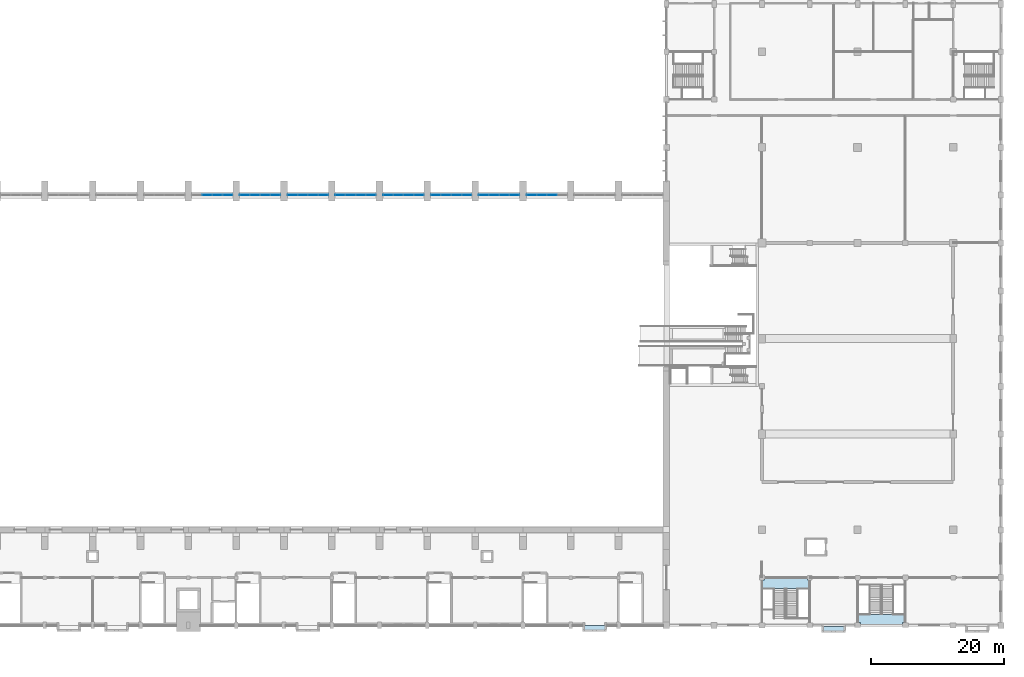
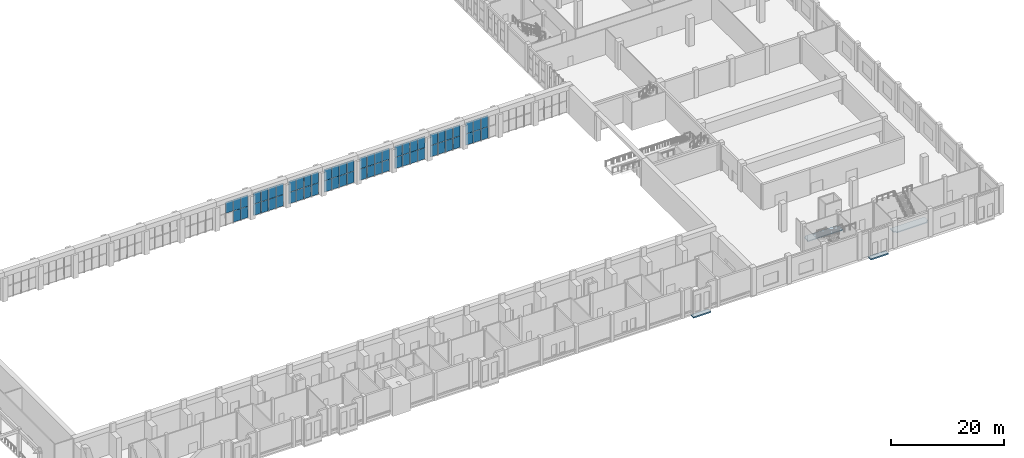
# One storey, part 22 of 44: 59 plates, 4 slabs, 10 elements without a shape of their own.
"""IFC4 building model written with IfcOpenShell, lengths in metres."""

from ifc_helpers import new_model, si_unit, direction, frame, origin, origin_2d, place, context, subcontext, project, spatial, polyline, rectangle, outline, extrude, material, layer, layer_set, type_object, element, aggregate, save


model = new_model("IFC4")

# Units and contexts
model_context = context("Model", 3, precision=1e-05, world=origin(), true_north=direction((0.0, 1.0)))
body_context = subcontext(model_context, "Body", "Model", "MODEL_VIEW")
ifc_project = project(units=[si_unit("LENGTHUNIT", "METRE"), si_unit("AREAUNIT", "SQUARE_METRE"), si_unit("VOLUMEUNIT", "CUBIC_METRE"), si_unit("PLANEANGLEUNIT", "RADIAN"), si_unit("MASSUNIT", "GRAM", prefix="KILO")], contexts=[model_context])

# Site, building, storey
site_placement = place(None, origin())
site = spatial("IfcSite", under=ifc_project, at=site_placement, CompositionType="ELEMENT")
building_placement = place(site_placement, origin())
building = spatial("IfcBuilding", under=site, at=building_placement, Name="Vermilion Court Aquatics Centre", CompositionType="ELEMENT")
storey_placement = place(building_placement, frame((0.0, 0.0, 6.0)))
storey = spatial("IfcBuildingStorey", under=building, at=storey_placement, Name="L01", CompositionType="ELEMENT", Elevation=6.0)

# Curtain wall, plates
ifc_material_1 = material(Name="Aluminium 6063-T5", Category="aluminium")
curtain_wall_type = type_object("IfcCurtainWallType", Name="Envelope curtain wall hall clerestory L01", PredefinedType="NOTDEFINED", material=ifc_material_1)
curtain_wall_1_placement = place(storey_placement, origin())
curtain_wall_1 = element("IfcCurtainWall", 1, at=curtain_wall_1_placement, inside=storey, type_object=curtain_wall_type, Name="Hall clerestory bay 9 L01", PredefinedType="NOTDEFINED")
ifc_material_2 = material(Name="Glazing", Category="glass")
ifc_layer_1 = layer(ifc_material_2, 0.06005859375)
ifc_layer_set_1 = layer_set([ifc_layer_1], Name="Envelope laminated glazing panel 60")
plate_type = type_object("IfcPlateType", Name="Envelope laminated glazing panel 60", PredefinedType="CURTAIN_PANEL", material=ifc_layer_set_1)
plate_1_placement = place(storey_placement, frame((74.824951171875, 64.800048828125, 2.5302734375), z_axis=(0.0, 0.0, 1.0), x_axis=(1.0, 0.0, 0.0)))
plate_1 = element("IfcPlate", 2, at=plate_1_placement, type_object=plate_type, Name="ECW2 panel 2.2", PredefinedType="CURTAIN_PANEL", context=body_context, shape_type="SweptSolid", body=[
    extrude(rectangle(XDim=1.489990234375, YDim=0.06005859375, at=origin_2d()), origin(), (0.0, 0.0, 1.0), 2.409912109375),
])
plate_2_placement = place(storey_placement, frame((76.375, 64.800048828125, 0.06005859375), z_axis=(0.0, 0.0, 1.0), x_axis=(1.0, 0.0, 0.0)))
plate_2 = element("IfcPlate", 3, at=plate_2_placement, type_object=plate_type, Name="ECW2 panel 3.1", PredefinedType="CURTAIN_PANEL", context=body_context, shape_type="SweptSolid", body=[
    extrude(rectangle(XDim=1.489990234375, YDim=0.06005859375, at=origin_2d()), origin(), (0.0, 0.0, 1.0), 2.409912109375),
])
plate_3_placement = place(storey_placement, frame((76.375, 64.800048828125, 2.5302734375), z_axis=(0.0, 0.0, 1.0), x_axis=(1.0, 0.0, 0.0)))
plate_3 = element("IfcPlate", 4, at=plate_3_placement, type_object=plate_type, Name="ECW2 panel 3.2", PredefinedType="CURTAIN_PANEL", context=body_context, shape_type="SweptSolid", body=[
    extrude(rectangle(XDim=1.489990234375, YDim=0.06005859375, at=origin_2d()), origin(), (0.0, 0.0, 1.0), 2.409912109375),
])
plate_4_placement = place(storey_placement, frame((77.909912109375, 64.800048828125, 0.06005859375), z_axis=(0.0, 0.0, 1.0), x_axis=(1.0, 0.0, 0.0)))
plate_4 = element("IfcPlate", 5, at=plate_4_placement, type_object=plate_type, Name="ECW2 panel 4.1", PredefinedType="CURTAIN_PANEL", context=body_context, shape_type="SweptSolid", body=[
    extrude(rectangle(XDim=1.4599609375, YDim=0.06005859375, at=origin_2d()), origin(), (0.0, 0.0, 1.0), 2.409912109375),
])
plate_5_placement = place(storey_placement, frame((77.909912109375, 64.800048828125, 2.5302734375), z_axis=(0.0, 0.0, 1.0), x_axis=(1.0, 0.0, 0.0)))
plate_5 = element("IfcPlate", 6, at=plate_5_placement, type_object=plate_type, Name="ECW2 panel 4.2", PredefinedType="CURTAIN_PANEL", context=body_context, shape_type="SweptSolid", body=[
    extrude(rectangle(XDim=1.4599609375, YDim=0.06005859375, at=origin_2d()), origin(), (0.0, 0.0, 1.0), 2.409912109375),
])
aggregate(curtain_wall_1, [plate_1, plate_2, plate_3, plate_4, plate_5])

curtain_wall_2_placement = place(storey_placement, origin())
curtain_wall_2 = element("IfcCurtainWall", 7, at=curtain_wall_2_placement, inside=storey, type_object=curtain_wall_type, Name="Hall clerestory bay 10 L01", PredefinedType="NOTDEFINED")
plate_6_placement = place(storey_placement, frame((80.489990234375, 64.800048828125, 0.06005859375), z_axis=(0.0, 0.0, 1.0), x_axis=(1.0, 0.0, 0.0)))
plate_6 = element("IfcPlate", 8, at=plate_6_placement, type_object=plate_type, Name="ECW2 panel 1.1", PredefinedType="CURTAIN_PANEL", context=body_context, shape_type="SweptSolid", body=[
    extrude(rectangle(XDim=1.4599609375, YDim=0.06005859375, at=origin_2d()), origin(), (0.0, 0.0, 1.0), 2.409912109375),
])
plate_7_placement = place(storey_placement, frame((80.489990234375, 64.800048828125, 2.5302734375), z_axis=(0.0, 0.0, 1.0), x_axis=(1.0, 0.0, 0.0)))
plate_7 = element("IfcPlate", 9, at=plate_7_placement, type_object=plate_type, Name="ECW2 panel 1.2", PredefinedType="CURTAIN_PANEL", context=body_context, shape_type="SweptSolid", body=[
    extrude(rectangle(XDim=1.4599609375, YDim=0.06005859375, at=origin_2d()), origin(), (0.0, 0.0, 1.0), 2.409912109375),
])
plate_8_placement = place(storey_placement, frame((82.02490234375, 64.800048828125, 0.06005859375), z_axis=(0.0, 0.0, 1.0), x_axis=(1.0, 0.0, 0.0)))
plate_8 = element("IfcPlate", 10, at=plate_8_placement, type_object=plate_type, Name="ECW2 panel 2.1", PredefinedType="CURTAIN_PANEL", context=body_context, shape_type="SweptSolid", body=[
    extrude(rectangle(XDim=1.489990234375, YDim=0.06005859375, at=origin_2d()), origin(), (0.0, 0.0, 1.0), 2.409912109375),
])
plate_9_placement = place(storey_placement, frame((82.02490234375, 64.800048828125, 2.5302734375), z_axis=(0.0, 0.0, 1.0), x_axis=(1.0, 0.0, 0.0)))
plate_9 = element("IfcPlate", 11, at=plate_9_placement, type_object=plate_type, Name="ECW2 panel 2.2", PredefinedType="CURTAIN_PANEL", context=body_context, shape_type="SweptSolid", body=[
    extrude(rectangle(XDim=1.489990234375, YDim=0.06005859375, at=origin_2d()), origin(), (0.0, 0.0, 1.0), 2.409912109375),
])
plate_10_placement = place(storey_placement, frame((83.574951171875, 64.800048828125, 0.06005859375), z_axis=(0.0, 0.0, 1.0), x_axis=(1.0, 0.0, 0.0)))
plate_10 = element("IfcPlate", 12, at=plate_10_placement, type_object=plate_type, Name="ECW2 panel 3.1", PredefinedType="CURTAIN_PANEL", context=body_context, shape_type="SweptSolid", body=[
    extrude(rectangle(XDim=1.489990234375, YDim=0.06005859375, at=origin_2d()), origin(), (0.0, 0.0, 1.0), 2.409912109375),
])
plate_11_placement = place(storey_placement, frame((83.574951171875, 64.800048828125, 2.5302734375), z_axis=(0.0, 0.0, 1.0), x_axis=(1.0, 0.0, 0.0)))
plate_11 = element("IfcPlate", 13, at=plate_11_placement, type_object=plate_type, Name="ECW2 panel 3.2", PredefinedType="CURTAIN_PANEL", context=body_context, shape_type="SweptSolid", body=[
    extrude(rectangle(XDim=1.489990234375, YDim=0.06005859375, at=origin_2d()), origin(), (0.0, 0.0, 1.0), 2.409912109375),
])
plate_12_placement = place(storey_placement, frame((85.110107421875, 64.800048828125, 0.06005859375), z_axis=(0.0, 0.0, 1.0), x_axis=(1.0, 0.0, 0.0)))
plate_12 = element("IfcPlate", 14, at=plate_12_placement, type_object=plate_type, Name="ECW2 panel 4.1", PredefinedType="CURTAIN_PANEL", context=body_context, shape_type="SweptSolid", body=[
    extrude(rectangle(XDim=1.4599609375, YDim=0.06005859375, at=origin_2d()), origin(), (0.0, 0.0, 1.0), 2.409912109375),
])
plate_13_placement = place(storey_placement, frame((85.110107421875, 64.800048828125, 2.5302734375), z_axis=(0.0, 0.0, 1.0), x_axis=(1.0, 0.0, 0.0)))
plate_13 = element("IfcPlate", 15, at=plate_13_placement, type_object=plate_type, Name="ECW2 panel 4.2", PredefinedType="CURTAIN_PANEL", context=body_context, shape_type="SweptSolid", body=[
    extrude(rectangle(XDim=1.4599609375, YDim=0.06005859375, at=origin_2d()), origin(), (0.0, 0.0, 1.0), 2.409912109375),
])
aggregate(curtain_wall_2, [plate_6, plate_7, plate_8, plate_9, plate_10, plate_11, plate_12, plate_13])

curtain_wall_3_placement = place(storey_placement, origin())
curtain_wall_3 = element("IfcCurtainWall", 16, at=curtain_wall_3_placement, inside=storey, type_object=curtain_wall_type, Name="Hall clerestory bay 11 L01", PredefinedType="NOTDEFINED")
plate_14_placement = place(storey_placement, frame((87.68994140625, 64.800048828125, 0.06005859375), z_axis=(0.0, 0.0, 1.0), x_axis=(1.0, 0.0, 0.0)))
plate_14 = element("IfcPlate", 17, at=plate_14_placement, type_object=plate_type, Name="ECW2 panel 1.1", PredefinedType="CURTAIN_PANEL", context=body_context, shape_type="SweptSolid", body=[
    extrude(rectangle(XDim=1.4599609375, YDim=0.06005859375, at=origin_2d()), origin(), (0.0, 0.0, 1.0), 2.409912109375),
])
plate_15_placement = place(storey_placement, frame((87.68994140625, 64.800048828125, 2.5302734375), z_axis=(0.0, 0.0, 1.0), x_axis=(1.0, 0.0, 0.0)))
plate_15 = element("IfcPlate", 18, at=plate_15_placement, type_object=plate_type, Name="ECW2 panel 1.2", PredefinedType="CURTAIN_PANEL", context=body_context, shape_type="SweptSolid", body=[
    extrude(rectangle(XDim=1.4599609375, YDim=0.06005859375, at=origin_2d()), origin(), (0.0, 0.0, 1.0), 2.409912109375),
])
plate_16_placement = place(storey_placement, frame((89.22509765625, 64.800048828125, 0.06005859375), z_axis=(0.0, 0.0, 1.0), x_axis=(1.0, 0.0, 0.0)))
plate_16 = element("IfcPlate", 19, at=plate_16_placement, type_object=plate_type, Name="ECW2 panel 2.1", PredefinedType="CURTAIN_PANEL", context=body_context, shape_type="SweptSolid", body=[
    extrude(rectangle(XDim=1.489990234375, YDim=0.06005859375, at=origin_2d()), origin(), (0.0, 0.0, 1.0), 2.409912109375),
])
plate_17_placement = place(storey_placement, frame((89.22509765625, 64.800048828125, 2.5302734375), z_axis=(0.0, 0.0, 1.0), x_axis=(1.0, 0.0, 0.0)))
plate_17 = element("IfcPlate", 20, at=plate_17_placement, type_object=plate_type, Name="ECW2 panel 2.2", PredefinedType="CURTAIN_PANEL", context=body_context, shape_type="SweptSolid", body=[
    extrude(rectangle(XDim=1.489990234375, YDim=0.06005859375, at=origin_2d()), origin(), (0.0, 0.0, 1.0), 2.409912109375),
])
plate_18_placement = place(storey_placement, frame((90.77490234375, 64.800048828125, 0.06005859375), z_axis=(0.0, 0.0, 1.0), x_axis=(1.0, 0.0, 0.0)))
plate_18 = element("IfcPlate", 21, at=plate_18_placement, type_object=plate_type, Name="ECW2 panel 3.1", PredefinedType="CURTAIN_PANEL", context=body_context, shape_type="SweptSolid", body=[
    extrude(rectangle(XDim=1.489990234375, YDim=0.06005859375, at=origin_2d()), origin(), (0.0, 0.0, 1.0), 2.409912109375),
])
plate_19_placement = place(storey_placement, frame((90.77490234375, 64.800048828125, 2.5302734375), z_axis=(0.0, 0.0, 1.0), x_axis=(1.0, 0.0, 0.0)))
plate_19 = element("IfcPlate", 22, at=plate_19_placement, type_object=plate_type, Name="ECW2 panel 3.2", PredefinedType="CURTAIN_PANEL", context=body_context, shape_type="SweptSolid", body=[
    extrude(rectangle(XDim=1.489990234375, YDim=0.06005859375, at=origin_2d()), origin(), (0.0, 0.0, 1.0), 2.409912109375),
])
plate_20_placement = place(storey_placement, frame((92.31005859375, 64.800048828125, 0.06005859375), z_axis=(0.0, 0.0, 1.0), x_axis=(1.0, 0.0, 0.0)))
plate_20 = element("IfcPlate", 23, at=plate_20_placement, type_object=plate_type, Name="ECW2 panel 4.1", PredefinedType="CURTAIN_PANEL", context=body_context, shape_type="SweptSolid", body=[
    extrude(rectangle(XDim=1.4599609375, YDim=0.06005859375, at=origin_2d()), origin(), (0.0, 0.0, 1.0), 2.409912109375),
])
plate_21_placement = place(storey_placement, frame((92.31005859375, 64.800048828125, 2.5302734375), z_axis=(0.0, 0.0, 1.0), x_axis=(1.0, 0.0, 0.0)))
plate_21 = element("IfcPlate", 24, at=plate_21_placement, type_object=plate_type, Name="ECW2 panel 4.2", PredefinedType="CURTAIN_PANEL", context=body_context, shape_type="SweptSolid", body=[
    extrude(rectangle(XDim=1.4599609375, YDim=0.06005859375, at=origin_2d()), origin(), (0.0, 0.0, 1.0), 2.409912109375),
])
aggregate(curtain_wall_3, [plate_14, plate_15, plate_16, plate_17, plate_18, plate_19, plate_20, plate_21])

curtain_wall_4_placement = place(storey_placement, origin())
curtain_wall_4 = element("IfcCurtainWall", 25, at=curtain_wall_4_placement, inside=storey, type_object=curtain_wall_type, Name="Hall clerestory bay 12 L01", PredefinedType="NOTDEFINED")
plate_22_placement = place(storey_placement, frame((94.889892578125, 64.800048828125, 0.06005859375), z_axis=(0.0, 0.0, 1.0), x_axis=(1.0, 0.0, 0.0)))
plate_22 = element("IfcPlate", 26, at=plate_22_placement, type_object=plate_type, Name="ECW2 panel 1.1", PredefinedType="CURTAIN_PANEL", context=body_context, shape_type="SweptSolid", body=[
    extrude(rectangle(XDim=1.4599609375, YDim=0.06005859375, at=origin_2d()), origin(), (0.0, 0.0, 1.0), 2.409912109375),
])
plate_23_placement = place(storey_placement, frame((94.889892578125, 64.800048828125, 2.5302734375), z_axis=(0.0, 0.0, 1.0), x_axis=(1.0, 0.0, 0.0)))
plate_23 = element("IfcPlate", 27, at=plate_23_placement, type_object=plate_type, Name="ECW2 panel 1.2", PredefinedType="CURTAIN_PANEL", context=body_context, shape_type="SweptSolid", body=[
    extrude(rectangle(XDim=1.4599609375, YDim=0.06005859375, at=origin_2d()), origin(), (0.0, 0.0, 1.0), 2.409912109375),
])
plate_24_placement = place(storey_placement, frame((96.425048828125, 64.800048828125, 0.06005859375), z_axis=(0.0, 0.0, 1.0), x_axis=(1.0, 0.0, 0.0)))
plate_24 = element("IfcPlate", 28, at=plate_24_placement, type_object=plate_type, Name="ECW2 panel 2.1", PredefinedType="CURTAIN_PANEL", context=body_context, shape_type="SweptSolid", body=[
    extrude(rectangle(XDim=1.489990234375, YDim=0.06005859375, at=origin_2d()), origin(), (0.0, 0.0, 1.0), 2.409912109375),
])
plate_25_placement = place(storey_placement, frame((96.425048828125, 64.800048828125, 2.5302734375), z_axis=(0.0, 0.0, 1.0), x_axis=(1.0, 0.0, 0.0)))
plate_25 = element("IfcPlate", 29, at=plate_25_placement, type_object=plate_type, Name="ECW2 panel 2.2", PredefinedType="CURTAIN_PANEL", context=body_context, shape_type="SweptSolid", body=[
    extrude(rectangle(XDim=1.489990234375, YDim=0.06005859375, at=origin_2d()), origin(), (0.0, 0.0, 1.0), 2.409912109375),
])
plate_26_placement = place(storey_placement, frame((97.97509765625, 64.800048828125, 0.06005859375), z_axis=(0.0, 0.0, 1.0), x_axis=(1.0, 0.0, 0.0)))
plate_26 = element("IfcPlate", 30, at=plate_26_placement, type_object=plate_type, Name="ECW2 panel 3.1", PredefinedType="CURTAIN_PANEL", context=body_context, shape_type="SweptSolid", body=[
    extrude(rectangle(XDim=1.489990234375, YDim=0.06005859375, at=origin_2d()), origin(), (0.0, 0.0, 1.0), 2.409912109375),
])
plate_27_placement = place(storey_placement, frame((97.97509765625, 64.800048828125, 2.5302734375), z_axis=(0.0, 0.0, 1.0), x_axis=(1.0, 0.0, 0.0)))
plate_27 = element("IfcPlate", 31, at=plate_27_placement, type_object=plate_type, Name="ECW2 panel 3.2", PredefinedType="CURTAIN_PANEL", context=body_context, shape_type="SweptSolid", body=[
    extrude(rectangle(XDim=1.489990234375, YDim=0.06005859375, at=origin_2d()), origin(), (0.0, 0.0, 1.0), 2.409912109375),
])
plate_28_placement = place(storey_placement, frame((99.510009765625, 64.800048828125, 0.06005859375), z_axis=(0.0, 0.0, 1.0), x_axis=(1.0, 0.0, 0.0)))
plate_28 = element("IfcPlate", 32, at=plate_28_placement, type_object=plate_type, Name="ECW2 panel 4.1", PredefinedType="CURTAIN_PANEL", context=body_context, shape_type="SweptSolid", body=[
    extrude(rectangle(XDim=1.4599609375, YDim=0.06005859375, at=origin_2d()), origin(), (0.0, 0.0, 1.0), 2.409912109375),
])
plate_29_placement = place(storey_placement, frame((99.510009765625, 64.800048828125, 2.5302734375), z_axis=(0.0, 0.0, 1.0), x_axis=(1.0, 0.0, 0.0)))
plate_29 = element("IfcPlate", 33, at=plate_29_placement, type_object=plate_type, Name="ECW2 panel 4.2", PredefinedType="CURTAIN_PANEL", context=body_context, shape_type="SweptSolid", body=[
    extrude(rectangle(XDim=1.4599609375, YDim=0.06005859375, at=origin_2d()), origin(), (0.0, 0.0, 1.0), 2.409912109375),
])
aggregate(curtain_wall_4, [plate_22, plate_23, plate_24, plate_25, plate_26, plate_27, plate_28, plate_29])

curtain_wall_5_placement = place(storey_placement, origin())
curtain_wall_5 = element("IfcCurtainWall", 34, at=curtain_wall_5_placement, inside=storey, type_object=curtain_wall_type, Name="Hall clerestory bay 13 L01", PredefinedType="NOTDEFINED")
plate_30_placement = place(storey_placement, frame((102.090087890625, 64.800048828125, 0.06005859375), z_axis=(0.0, 0.0, 1.0), x_axis=(1.0, 0.0, 0.0)))
plate_30 = element("IfcPlate", 35, at=plate_30_placement, type_object=plate_type, Name="ECW2 panel 1.1", PredefinedType="CURTAIN_PANEL", context=body_context, shape_type="SweptSolid", body=[
    extrude(rectangle(XDim=1.4599609375, YDim=0.06005859375, at=origin_2d()), origin(), (0.0, 0.0, 1.0), 2.409912109375),
])
plate_31_placement = place(storey_placement, frame((102.090087890625, 64.800048828125, 2.5302734375), z_axis=(0.0, 0.0, 1.0), x_axis=(1.0, 0.0, 0.0)))
plate_31 = element("IfcPlate", 36, at=plate_31_placement, type_object=plate_type, Name="ECW2 panel 1.2", PredefinedType="CURTAIN_PANEL", context=body_context, shape_type="SweptSolid", body=[
    extrude(rectangle(XDim=1.4599609375, YDim=0.06005859375, at=origin_2d()), origin(), (0.0, 0.0, 1.0), 2.409912109375),
])
plate_32_placement = place(storey_placement, frame((103.625, 64.800048828125, 0.06005859375), z_axis=(0.0, 0.0, 1.0), x_axis=(1.0, 0.0, 0.0)))
plate_32 = element("IfcPlate", 37, at=plate_32_placement, type_object=plate_type, Name="ECW2 panel 2.1", PredefinedType="CURTAIN_PANEL", context=body_context, shape_type="SweptSolid", body=[
    extrude(rectangle(XDim=1.489990234375, YDim=0.06005859375, at=origin_2d()), origin(), (0.0, 0.0, 1.0), 2.409912109375),
])
plate_33_placement = place(storey_placement, frame((103.625, 64.800048828125, 2.5302734375), z_axis=(0.0, 0.0, 1.0), x_axis=(1.0, 0.0, 0.0)))
plate_33 = element("IfcPlate", 38, at=plate_33_placement, type_object=plate_type, Name="ECW2 panel 2.2", PredefinedType="CURTAIN_PANEL", context=body_context, shape_type="SweptSolid", body=[
    extrude(rectangle(XDim=1.489990234375, YDim=0.06005859375, at=origin_2d()), origin(), (0.0, 0.0, 1.0), 2.409912109375),
])
plate_34_placement = place(storey_placement, frame((105.175048828125, 64.800048828125, 0.06005859375), z_axis=(0.0, 0.0, 1.0), x_axis=(1.0, 0.0, 0.0)))
plate_34 = element("IfcPlate", 39, at=plate_34_placement, type_object=plate_type, Name="ECW2 panel 3.1", PredefinedType="CURTAIN_PANEL", context=body_context, shape_type="SweptSolid", body=[
    extrude(rectangle(XDim=1.489990234375, YDim=0.06005859375, at=origin_2d()), origin(), (0.0, 0.0, 1.0), 2.409912109375),
])
plate_35_placement = place(storey_placement, frame((105.175048828125, 64.800048828125, 2.5302734375), z_axis=(0.0, 0.0, 1.0), x_axis=(1.0, 0.0, 0.0)))
plate_35 = element("IfcPlate", 40, at=plate_35_placement, type_object=plate_type, Name="ECW2 panel 3.2", PredefinedType="CURTAIN_PANEL", context=body_context, shape_type="SweptSolid", body=[
    extrude(rectangle(XDim=1.489990234375, YDim=0.06005859375, at=origin_2d()), origin(), (0.0, 0.0, 1.0), 2.409912109375),
])
plate_36_placement = place(storey_placement, frame((106.7099609375, 64.800048828125, 0.06005859375), z_axis=(0.0, 0.0, 1.0), x_axis=(1.0, 0.0, 0.0)))
plate_36 = element("IfcPlate", 41, at=plate_36_placement, type_object=plate_type, Name="ECW2 panel 4.1", PredefinedType="CURTAIN_PANEL", context=body_context, shape_type="SweptSolid", body=[
    extrude(rectangle(XDim=1.4599609375, YDim=0.06005859375, at=origin_2d()), origin(), (0.0, 0.0, 1.0), 2.409912109375),
])
plate_37_placement = place(storey_placement, frame((106.7099609375, 64.800048828125, 2.5302734375), z_axis=(0.0, 0.0, 1.0), x_axis=(1.0, 0.0, 0.0)))
plate_37 = element("IfcPlate", 42, at=plate_37_placement, type_object=plate_type, Name="ECW2 panel 4.2", PredefinedType="CURTAIN_PANEL", context=body_context, shape_type="SweptSolid", body=[
    extrude(rectangle(XDim=1.4599609375, YDim=0.06005859375, at=origin_2d()), origin(), (0.0, 0.0, 1.0), 2.409912109375),
])
aggregate(curtain_wall_5, [plate_30, plate_31, plate_32, plate_33, plate_34, plate_35, plate_36, plate_37])

curtain_wall_6_placement = place(storey_placement, origin())
curtain_wall_6 = element("IfcCurtainWall", 43, at=curtain_wall_6_placement, inside=storey, type_object=curtain_wall_type, Name="Hall clerestory bay 14 L01", PredefinedType="NOTDEFINED")
plate_38_placement = place(storey_placement, frame((109.2900390625, 64.800048828125, 0.06005859375), z_axis=(0.0, 0.0, 1.0), x_axis=(1.0, 0.0, 0.0)))
plate_38 = element("IfcPlate", 44, at=plate_38_placement, type_object=plate_type, Name="ECW2 panel 1.1", PredefinedType="CURTAIN_PANEL", context=body_context, shape_type="SweptSolid", body=[
    extrude(rectangle(XDim=1.4599609375, YDim=0.06005859375, at=origin_2d()), origin(), (0.0, 0.0, 1.0), 2.409912109375),
])
plate_39_placement = place(storey_placement, frame((109.2900390625, 64.800048828125, 2.5302734375), z_axis=(0.0, 0.0, 1.0), x_axis=(1.0, 0.0, 0.0)))
plate_39 = element("IfcPlate", 45, at=plate_39_placement, type_object=plate_type, Name="ECW2 panel 1.2", PredefinedType="CURTAIN_PANEL", context=body_context, shape_type="SweptSolid", body=[
    extrude(rectangle(XDim=1.4599609375, YDim=0.06005859375, at=origin_2d()), origin(), (0.0, 0.0, 1.0), 2.409912109375),
])
plate_40_placement = place(storey_placement, frame((110.824951171875, 64.800048828125, 0.06005859375), z_axis=(0.0, 0.0, 1.0), x_axis=(1.0, 0.0, 0.0)))
plate_40 = element("IfcPlate", 46, at=plate_40_placement, type_object=plate_type, Name="ECW2 panel 2.1", PredefinedType="CURTAIN_PANEL", context=body_context, shape_type="SweptSolid", body=[
    extrude(rectangle(XDim=1.489990234375, YDim=0.06005859375, at=origin_2d()), origin(), (0.0, 0.0, 1.0), 2.409912109375),
])
plate_41_placement = place(storey_placement, frame((110.824951171875, 64.800048828125, 2.5302734375), z_axis=(0.0, 0.0, 1.0), x_axis=(1.0, 0.0, 0.0)))
plate_41 = element("IfcPlate", 47, at=plate_41_placement, type_object=plate_type, Name="ECW2 panel 2.2", PredefinedType="CURTAIN_PANEL", context=body_context, shape_type="SweptSolid", body=[
    extrude(rectangle(XDim=1.489990234375, YDim=0.06005859375, at=origin_2d()), origin(), (0.0, 0.0, 1.0), 2.409912109375),
])
plate_42_placement = place(storey_placement, frame((112.375, 64.800048828125, 0.06005859375), z_axis=(0.0, 0.0, 1.0), x_axis=(1.0, 0.0, 0.0)))
plate_42 = element("IfcPlate", 48, at=plate_42_placement, type_object=plate_type, Name="ECW2 panel 3.1", PredefinedType="CURTAIN_PANEL", context=body_context, shape_type="SweptSolid", body=[
    extrude(rectangle(XDim=1.489990234375, YDim=0.06005859375, at=origin_2d()), origin(), (0.0, 0.0, 1.0), 2.409912109375),
])
plate_43_placement = place(storey_placement, frame((112.375, 64.800048828125, 2.5302734375), z_axis=(0.0, 0.0, 1.0), x_axis=(1.0, 0.0, 0.0)))
plate_43 = element("IfcPlate", 49, at=plate_43_placement, type_object=plate_type, Name="ECW2 panel 3.2", PredefinedType="CURTAIN_PANEL", context=body_context, shape_type="SweptSolid", body=[
    extrude(rectangle(XDim=1.489990234375, YDim=0.06005859375, at=origin_2d()), origin(), (0.0, 0.0, 1.0), 2.409912109375),
])
plate_44_placement = place(storey_placement, frame((113.909912109375, 64.800048828125, 0.06005859375), z_axis=(0.0, 0.0, 1.0), x_axis=(1.0, 0.0, 0.0)))
plate_44 = element("IfcPlate", 50, at=plate_44_placement, type_object=plate_type, Name="ECW2 panel 4.1", PredefinedType="CURTAIN_PANEL", context=body_context, shape_type="SweptSolid", body=[
    extrude(rectangle(XDim=1.4599609375, YDim=0.06005859375, at=origin_2d()), origin(), (0.0, 0.0, 1.0), 2.409912109375),
])
plate_45_placement = place(storey_placement, frame((113.909912109375, 64.800048828125, 2.5302734375), z_axis=(0.0, 0.0, 1.0), x_axis=(1.0, 0.0, 0.0)))
plate_45 = element("IfcPlate", 51, at=plate_45_placement, type_object=plate_type, Name="ECW2 panel 4.2", PredefinedType="CURTAIN_PANEL", context=body_context, shape_type="SweptSolid", body=[
    extrude(rectangle(XDim=1.4599609375, YDim=0.06005859375, at=origin_2d()), origin(), (0.0, 0.0, 1.0), 2.409912109375),
])
aggregate(curtain_wall_6, [plate_38, plate_39, plate_40, plate_41, plate_42, plate_43, plate_44, plate_45])

curtain_wall_7_placement = place(storey_placement, origin())
curtain_wall_7 = element("IfcCurtainWall", 52, at=curtain_wall_7_placement, inside=storey, type_object=curtain_wall_type, Name="Hall clerestory bay 15 L01", PredefinedType="NOTDEFINED")
plate_46_placement = place(storey_placement, frame((116.489990234375, 64.800048828125, 0.06005859375), z_axis=(0.0, 0.0, 1.0), x_axis=(1.0, 0.0, 0.0)))
plate_46 = element("IfcPlate", 53, at=plate_46_placement, type_object=plate_type, Name="ECW2 panel 1.1", PredefinedType="CURTAIN_PANEL", context=body_context, shape_type="SweptSolid", body=[
    extrude(rectangle(XDim=1.4599609375, YDim=0.06005859375, at=origin_2d()), origin(), (0.0, 0.0, 1.0), 2.409912109375),
])
plate_47_placement = place(storey_placement, frame((116.489990234375, 64.800048828125, 2.5302734375), z_axis=(0.0, 0.0, 1.0), x_axis=(1.0, 0.0, 0.0)))
plate_47 = element("IfcPlate", 54, at=plate_47_placement, type_object=plate_type, Name="ECW2 panel 1.2", PredefinedType="CURTAIN_PANEL", context=body_context, shape_type="SweptSolid", body=[
    extrude(rectangle(XDim=1.4599609375, YDim=0.06005859375, at=origin_2d()), origin(), (0.0, 0.0, 1.0), 2.409912109375),
])
plate_48_placement = place(storey_placement, frame((118.02490234375, 64.800048828125, 0.06005859375), z_axis=(0.0, 0.0, 1.0), x_axis=(1.0, 0.0, 0.0)))
plate_48 = element("IfcPlate", 55, at=plate_48_placement, type_object=plate_type, Name="ECW2 panel 2.1", PredefinedType="CURTAIN_PANEL", context=body_context, shape_type="SweptSolid", body=[
    extrude(rectangle(XDim=1.489990234375, YDim=0.06005859375, at=origin_2d()), origin(), (0.0, 0.0, 1.0), 2.409912109375),
])
plate_49_placement = place(storey_placement, frame((118.02490234375, 64.800048828125, 2.5302734375), z_axis=(0.0, 0.0, 1.0), x_axis=(1.0, 0.0, 0.0)))
plate_49 = element("IfcPlate", 56, at=plate_49_placement, type_object=plate_type, Name="ECW2 panel 2.2", PredefinedType="CURTAIN_PANEL", context=body_context, shape_type="SweptSolid", body=[
    extrude(rectangle(XDim=1.489990234375, YDim=0.06005859375, at=origin_2d()), origin(), (0.0, 0.0, 1.0), 2.409912109375),
])
plate_50_placement = place(storey_placement, frame((119.574951171875, 64.800048828125, 0.06005859375), z_axis=(0.0, 0.0, 1.0), x_axis=(1.0, 0.0, 0.0)))
plate_50 = element("IfcPlate", 57, at=plate_50_placement, type_object=plate_type, Name="ECW2 panel 3.1", PredefinedType="CURTAIN_PANEL", context=body_context, shape_type="SweptSolid", body=[
    extrude(rectangle(XDim=1.489990234375, YDim=0.06005859375, at=origin_2d()), origin(), (0.0, 0.0, 1.0), 2.409912109375),
])
plate_51_placement = place(storey_placement, frame((119.574951171875, 64.800048828125, 2.5302734375), z_axis=(0.0, 0.0, 1.0), x_axis=(1.0, 0.0, 0.0)))
plate_51 = element("IfcPlate", 58, at=plate_51_placement, type_object=plate_type, Name="ECW2 panel 3.2", PredefinedType="CURTAIN_PANEL", context=body_context, shape_type="SweptSolid", body=[
    extrude(rectangle(XDim=1.489990234375, YDim=0.06005859375, at=origin_2d()), origin(), (0.0, 0.0, 1.0), 2.409912109375),
])
plate_52_placement = place(storey_placement, frame((121.110107421875, 64.800048828125, 0.06005859375), z_axis=(0.0, 0.0, 1.0), x_axis=(1.0, 0.0, 0.0)))
plate_52 = element("IfcPlate", 59, at=plate_52_placement, type_object=plate_type, Name="ECW2 panel 4.1", PredefinedType="CURTAIN_PANEL", context=body_context, shape_type="SweptSolid", body=[
    extrude(rectangle(XDim=1.4599609375, YDim=0.06005859375, at=origin_2d()), origin(), (0.0, 0.0, 1.0), 2.409912109375),
])
plate_53_placement = place(storey_placement, frame((121.110107421875, 64.800048828125, 2.5302734375), z_axis=(0.0, 0.0, 1.0), x_axis=(1.0, 0.0, 0.0)))
plate_53 = element("IfcPlate", 60, at=plate_53_placement, type_object=plate_type, Name="ECW2 panel 4.2", PredefinedType="CURTAIN_PANEL", context=body_context, shape_type="SweptSolid", body=[
    extrude(rectangle(XDim=1.4599609375, YDim=0.06005859375, at=origin_2d()), origin(), (0.0, 0.0, 1.0), 2.409912109375),
])
aggregate(curtain_wall_7, [plate_46, plate_47, plate_48, plate_49, plate_50, plate_51, plate_52, plate_53])

curtain_wall_8_placement = place(storey_placement, origin())
curtain_wall_8 = element("IfcCurtainWall", 61, at=curtain_wall_8_placement, inside=storey, type_object=curtain_wall_type, Name="Hall clerestory bay 16 L01", PredefinedType="NOTDEFINED")
plate_54_placement = place(storey_placement, frame((123.68994140625, 64.800048828125, 0.06005859375), z_axis=(0.0, 0.0, 1.0), x_axis=(1.0, 0.0, 0.0)))
plate_54 = element("IfcPlate", 62, at=plate_54_placement, type_object=plate_type, Name="ECW2 panel 1.1", PredefinedType="CURTAIN_PANEL", context=body_context, shape_type="SweptSolid", body=[
    extrude(rectangle(XDim=1.4599609375, YDim=0.06005859375, at=origin_2d()), origin(), (0.0, 0.0, 1.0), 2.409912109375),
])
plate_55_placement = place(storey_placement, frame((123.68994140625, 64.800048828125, 2.5302734375), z_axis=(0.0, 0.0, 1.0), x_axis=(1.0, 0.0, 0.0)))
plate_55 = element("IfcPlate", 63, at=plate_55_placement, type_object=plate_type, Name="ECW2 panel 1.2", PredefinedType="CURTAIN_PANEL", context=body_context, shape_type="SweptSolid", body=[
    extrude(rectangle(XDim=1.4599609375, YDim=0.06005859375, at=origin_2d()), origin(), (0.0, 0.0, 1.0), 2.409912109375),
])
plate_56_placement = place(storey_placement, frame((125.22509765625, 64.800048828125, 0.06005859375), z_axis=(0.0, 0.0, 1.0), x_axis=(1.0, 0.0, 0.0)))
plate_56 = element("IfcPlate", 64, at=plate_56_placement, type_object=plate_type, Name="ECW2 panel 2.1", PredefinedType="CURTAIN_PANEL", context=body_context, shape_type="SweptSolid", body=[
    extrude(rectangle(XDim=1.489990234375, YDim=0.06005859375, at=origin_2d()), origin(), (0.0, 0.0, 1.0), 2.409912109375),
])
plate_57_placement = place(storey_placement, frame((125.22509765625, 64.800048828125, 2.5302734375), z_axis=(0.0, 0.0, 1.0), x_axis=(1.0, 0.0, 0.0)))
plate_57 = element("IfcPlate", 65, at=plate_57_placement, type_object=plate_type, Name="ECW2 panel 2.2", PredefinedType="CURTAIN_PANEL", context=body_context, shape_type="SweptSolid", body=[
    extrude(rectangle(XDim=1.489990234375, YDim=0.06005859375, at=origin_2d()), origin(), (0.0, 0.0, 1.0), 2.409912109375),
])
plate_58_placement = place(storey_placement, frame((126.77490234375, 64.800048828125, 0.06005859375), z_axis=(0.0, 0.0, 1.0), x_axis=(1.0, 0.0, 0.0)))
plate_58 = element("IfcPlate", 66, at=plate_58_placement, type_object=plate_type, Name="ECW2 panel 3.1", PredefinedType="CURTAIN_PANEL", context=body_context, shape_type="SweptSolid", body=[
    extrude(rectangle(XDim=1.489990234375, YDim=0.06005859375, at=origin_2d()), origin(), (0.0, 0.0, 1.0), 2.409912109375),
])
plate_59_placement = place(storey_placement, frame((126.77490234375, 64.800048828125, 2.5302734375), z_axis=(0.0, 0.0, 1.0), x_axis=(1.0, 0.0, 0.0)))
plate_59 = element("IfcPlate", 67, at=plate_59_placement, type_object=plate_type, Name="ECW2 panel 3.2", PredefinedType="CURTAIN_PANEL", context=body_context, shape_type="SweptSolid", body=[
    extrude(rectangle(XDim=1.489990234375, YDim=0.06005859375, at=origin_2d()), origin(), (0.0, 0.0, 1.0), 2.409912109375),
])
aggregate(curtain_wall_8, [plate_54, plate_55, plate_56, plate_57, plate_58, plate_59])

# Slab
ifc_material_3 = material(Name="Concrete 5000 psi", Category="concrete")
ifc_layer_2 = layer(ifc_material_3, 0.300048828125)
ifc_layer_set_2 = layer_set([ifc_layer_2], Name="Podium projecting bay floor slab 300")
slab_type_1 = type_object("IfcSlabType", Name="Podium projecting bay floor slab 300", PredefinedType="FLOOR", material=ifc_layer_set_2)
slab_1_placement = place(storey_placement, frame((0.0, 0.0, -0.300048828125)))
element("IfcSlab", 68, at=slab_1_placement, inside=storey, type_object=slab_type_1, Name="Projecting bay floor slab L01", PredefinedType="FLOOR", context=body_context, shape_type="SweptSolid", body=[
    extrude(outline(polyline([(171.0, -1.050048828125), (171.0, -0.14990234375), (167.39990234375, -0.14990234375), (167.39990234375, -1.050048828125), (171.0, -1.050048828125)])), origin(), (0.0, 0.0, 1.0), 0.300048828125),
])

# Stair, slab
ifc_material_4 = material(Name="Concrete 5000 psi", Category="concrete")
stair_type = type_object("IfcStairType", Name="Podium exit stair 1600 clear, two flights", PredefinedType="TWO_STRAIGHT_RUN_STAIR", material=ifc_material_4)
stair_1_placement = place(storey_placement, origin())
stair_1 = element("IfcStair", 69, at=stair_1_placement, inside=storey, type_object=stair_type, Name="Exit stair P1", PredefinedType="TWO_STRAIGHT_RUN_STAIR")
ifc_material_5 = material(Name="Concrete 5000 psi", Category="concrete")
ifc_layer_3 = layer(ifc_material_5, 0.199951171875)
ifc_layer_set_3 = layer_set([ifc_layer_3], Name="Podium stair landing 200")
slab_type_2 = type_object("IfcSlabType", Name="Podium stair landing 200", PredefinedType="LANDING", material=ifc_layer_set_3)
slab_2_placement = place(storey_placement, frame((0.0, 0.0, 2.800048828125)))
slab_2 = element("IfcSlab", 70, at=slab_2_placement, type_object=slab_type_2, Name="ST-P1 landing 1", PredefinedType="LANDING", context=body_context, shape_type="SweptSolid", body=[
    extrude(outline(polyline([(158.77490234375, 7.137451171875), (165.22509765625, 7.137451171875), (165.22509765625, 6.824951171875), (165.53759765625, 6.824951171875), (165.53759765625, 5.534423828125), (158.46240234375, 5.534423828125), (158.46240234375, 6.824951171875), (158.77490234375, 6.824951171875), (158.77490234375, 7.137451171875)])), origin(), (0.0, 0.0, 1.0), 0.199951171875),
])
aggregate(stair_1, [slab_2])

stair_2_placement = place(storey_placement, origin())
stair_2 = element("IfcStair", 71, at=stair_2_placement, inside=storey, type_object=stair_type, Name="Exit stair P2", PredefinedType="TWO_STRAIGHT_RUN_STAIR")
slab_3_placement = place(storey_placement, frame((0.0, 0.0, 2.800048828125)))
slab_3 = element("IfcSlab", 72, at=slab_3_placement, type_object=slab_type_2, Name="ST-P2 landing 1", PredefinedType="LANDING", context=body_context, shape_type="SweptSolid", body=[
    extrude(outline(polyline([(179.550048828125, 0.0625), (173.25, 0.0625), (173.25, 0.35009765625), (173.25, 0.449951171875), (172.862548828125, 0.449951171875), (172.862548828125, 1.66552734375), (179.9375, 1.66552734375), (179.9375, 0.449951171875), (179.550048828125, 0.449951171875), (179.550048828125, 0.35009765625), (179.550048828125, 0.0625)])), origin(), (0.0, 0.0, 1.0), 0.199951171875),
])
aggregate(stair_2, [slab_3])

# Slab
ifc_material_6 = material(Name="Concrete 5000 psi", Category="concrete")
ifc_layer_4 = layer(ifc_material_6, 0.300048828125)
ifc_layer_set_4 = layer_set([ifc_layer_4], Name="South bay floor slab 300")
slab_type_3 = type_object("IfcSlabType", Name="South bay floor slab 300", PredefinedType="FLOOR", material=ifc_layer_set_4)
slab_4_placement = place(storey_placement, frame((0.0, 0.0, -0.300048828125)))
element("IfcSlab", 73, at=slab_4_placement, inside=storey, type_object=slab_type_3, Name="South bay floor slab", PredefinedType="FLOOR", context=body_context, shape_type="SweptSolid", body=[
    extrude(outline(polyline([(131.39990234375, -0.89990234375), (135.0, -0.89990234375), (135.0, 0.0), (131.39990234375, 0.0), (131.39990234375, -0.89990234375)])), origin(), (0.0, 0.0, 1.0), 0.300048828125),
])

save(model, "model.ifc")
